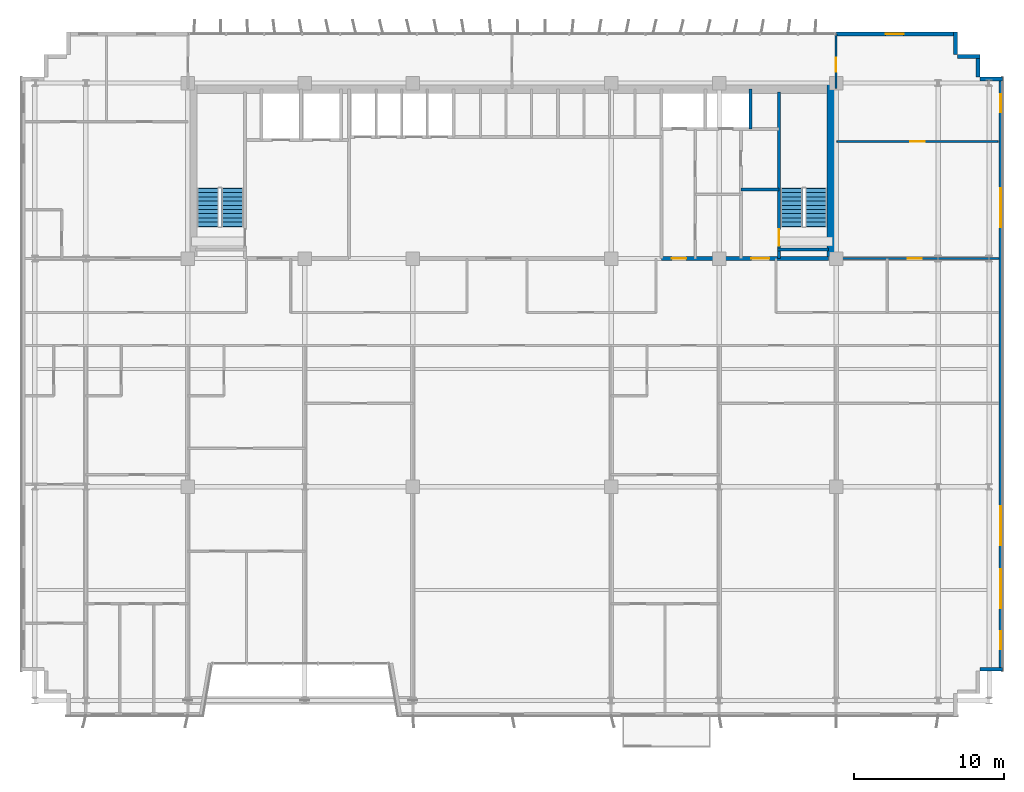
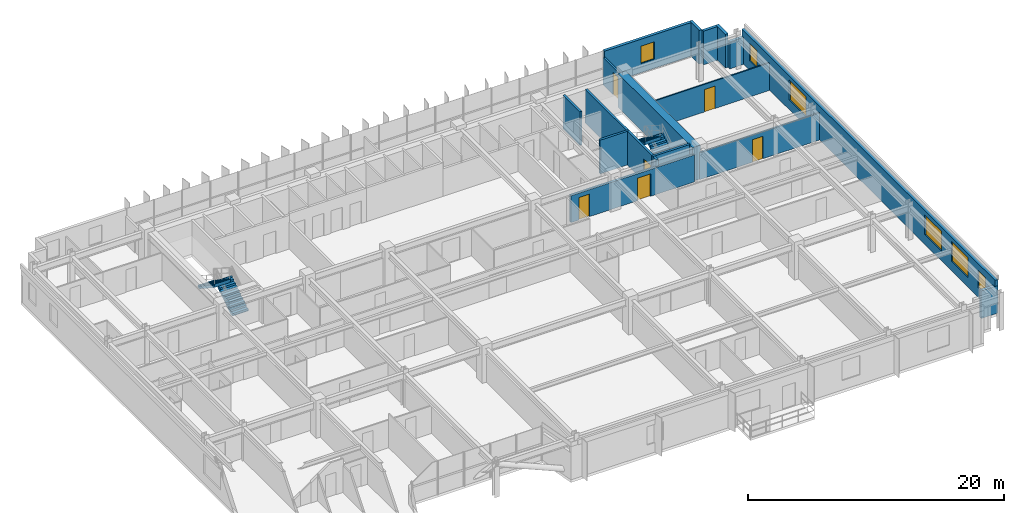
# One storey, part 22 of 25: 16 walls, 6 doors, 6 windows, 4 stair flights, 12 openings, 2 elements without a shape of their own.
"""IFC4 building model written with IfcOpenShell, lengths in metres."""

from ifc_helpers import new_model, si_unit, direction, frame, frame_2d, origin, place, context, subcontext, project, spatial, polyline, rectangle, outline, extrude, source, transform, mapped, material, layer, layer_set, type_object, element, fill, aggregate, save


model = new_model("IFC4")

# Units and contexts
model_context = context("Model", 3, precision=1e-05, world=origin(), true_north=direction((0.0, 1.0)))
body_context = subcontext(model_context, "Body", "Model", "MODEL_VIEW")
ifc_project = project(units=[si_unit("LENGTHUNIT", "METRE"), si_unit("AREAUNIT", "SQUARE_METRE"), si_unit("VOLUMEUNIT", "CUBIC_METRE"), si_unit("PLANEANGLEUNIT", "RADIAN"), si_unit("MASSUNIT", "GRAM", prefix="KILO")], contexts=[model_context])

# Site, building, storey
site_placement = place(None, origin())
site = spatial("IfcSite", under=ifc_project, at=site_placement, CompositionType="ELEMENT")
building_placement = place(site_placement, origin())
building = spatial("IfcBuilding", under=site, at=building_placement, Name="Trelvane Seafront Commons", CompositionType="ELEMENT")
storey_placement = place(building_placement, frame((0.0, 0.0, 70.300048828125)))
storey = spatial("IfcBuildingStorey", under=building, at=storey_placement, Name="L18", CompositionType="ELEMENT", Elevation=70.300048828125)

# Wall, opening, window
ifc_material_1 = material(Name="Precast concrete C40/50", Category="concrete")
ifc_layer_1 = layer(ifc_material_1, 0.260009765625, Name="ARCH-WALL-EXT260")
ifc_layer_set_1 = layer_set([ifc_layer_1], Name="Precast concrete C40/50")
wall_type_1 = type_object("IfcWallType", Name="ARCH-WALL-EXT260", PredefinedType="SOLIDWALL", material=ifc_layer_set_1)
wall_1_placement = place(storey_placement, frame((58.800048828125, 48.3701171875, 0.0), z_axis=(0.0, 0.0, 1.0), x_axis=(1.0, 0.0, 0.0)))
wall_1 = element("IfcWall", 1, at=wall_1_placement, inside=storey, type_object=wall_type_1, Name="EW-L18-NE-0326", PredefinedType="SOLIDWALL", context=body_context, shape_type="SweptSolid", body=[
    extrude(rectangle(XDim=8.0, YDim=0.260009765625, at=frame_2d((4.0, 0.0))), origin(), (0.0, 0.0, 1.0), 3.219970703125),
])
opening_1_placement = place(wall_1_placement, frame((3.30810546875, 0.0, 0.89990234375)))
opening_1 = element("IfcOpeningElement", 2, at=opening_1_placement, cuts=wall_1, Name="Opening W05", PredefinedType="OPENING", context=body_context, shape_type="SweptSolid", body=[
    extrude(rectangle(XDim=1.199951171875, YDim=1.64990234375, at=frame_2d((0.60009765625, 0.824951171875))), frame((0.0, 0.139892578125, 0.0), z_axis=(0.0, -1.0, 0.0), x_axis=(1.0, 0.0, 0.0)), (0.0, 0.0, 1.0), 0.280029296875),
])
ifc_material_2 = material(Name="Low-E coastal double glazing", Category="glass")
window_type_1 = type_object("IfcWindowType", Name="ARCH-WIN-W05", PartitioningType="SINGLE_PANEL", PredefinedType="WINDOW", material=ifc_material_2)
shared_shape_1 = source(origin(), body_context, "Body", "SweptSolid", [
    extrude(rectangle(XDim=1.199951171875, YDim=1.64990234375, at=frame_2d((0.60009765625, 0.824951171875))), frame((0.0, 0.030029296875, 0.0), z_axis=(0.0, -1.0, 0.0), x_axis=(1.0, 0.0, 0.0)), (0.0, 0.0, 1.0), 0.06005859375),
])
window_1_placement = place(opening_1_placement, origin())
window_1 = element("IfcWindow", 3, at=window_1_placement, inside=storey, type_object=window_type_1, Name="WIN-L18-00377", OverallHeight=1.64990234375, OverallWidth=1.199951171875, PartitioningType="SINGLE_PANEL", PredefinedType="WINDOW", context=body_context, shape_type="MappedRepresentation", body=[
    mapped(shared_shape_1, transform((0.0, 0.0, 0.0), x_axis=(1.0, 0.0, 0.0), y_axis=(0.0, 1.0, 0.0), z_axis=(0.0, 0.0, 1.0), scale=1.0)),
])
fill(opening_1, window_1)

# Walls
for number, where, z_axis, x_axis, name in (
    (4, (66.77001953125, 48.5, 0.0), (0.0, 0.0, 1.0), (0.0, -1.0, 0.0), "EW-L18-00335"),
    (5, (66.89990234375, 46.8701171875, 0.0), (0.0, 0.0, 1.0), (1.0, 0.0, 0.0), "EW-L18-00336"),
    (6, (68.27001953125, 47.0, 0.0), (0.0, 0.0, 1.0), (0.0, -1.0, 0.0), "EW-L18-00337"),
):
    element("IfcWall", number, at=place(storey_placement, frame(where, z_axis=z_axis, x_axis=x_axis)), inside=storey, type_object=wall_type_1, Name=name, PredefinedType="SOLIDWALL", context=body_context, shape_type="SweptSolid", body=[
        extrude(rectangle(XDim=1.5, YDim=0.260009765625, at=frame_2d((0.75, 0.0))), origin(), (0.0, 0.0, 1.0), 3.219970703125),
    ])
wall_2_placement = place(storey_placement, frame((68.39990234375, 45.3701171875, 0.0), z_axis=(0.0, 0.0, 1.0), x_axis=(1.0, 0.0, 0.0)))
element("IfcWall", 7, at=wall_2_placement, inside=storey, type_object=wall_type_1, Name="EW-L18-00338", PredefinedType="SOLIDWALL", context=body_context, shape_type="SweptSolid", body=[
    extrude(rectangle(XDim=1.5, YDim=0.260009765625, at=frame_2d((0.75, 0.0))), origin(), (0.0, 0.0, 1.0), 2.570068359375),
])

# Wall, openings, windows
wall_3_placement = place(storey_placement, frame((69.77001953125, 45.5, 0.0), z_axis=(0.0, 0.0, 1.0), x_axis=(0.0, -1.0, 0.0)))
wall_3 = element("IfcWall", 8, at=wall_3_placement, inside=storey, type_object=wall_type_1, Name="EW-L18-00339", PredefinedType="SOLIDWALL", context=body_context, shape_type="SweptSolid", body=[
    extrude(rectangle(XDim=39.60009765625, YDim=0.260009765625, at=frame_2d((19.800048828125, 0.0))), origin(), (0.0, 0.0, 1.0), 3.219970703125),
])
opening_2_placement = place(wall_3_placement, frame((36.949951171875, 0.0, 0.919921875)))
opening_2 = element("IfcOpeningElement", 9, at=opening_2_placement, cuts=wall_3, Name="Opening W05", PredefinedType="OPENING", context=body_context, shape_type="SweptSolid", body=[
    extrude(rectangle(XDim=1.199951171875, YDim=1.64990234375, at=frame_2d((0.60009765625, 0.824951171875))), frame((0.0, 0.139892578125, 0.0), z_axis=(0.0, -1.0, 0.0), x_axis=(1.0, 0.0, 0.0)), (0.0, 0.0, 1.0), 0.280029296875),
])
opening_3_placement = place(wall_3_placement, frame((32.800048828125, 0.0, 0.919921875)))
opening_3 = element("IfcOpeningElement", 10, at=opening_3_placement, cuts=wall_3, Name="Opening W04", PredefinedType="OPENING", context=body_context, shape_type="SweptSolid", body=[
    extrude(rectangle(XDim=2.60009765625, YDim=1.89990234375, at=frame_2d((1.300048828125, 0.949951171875))), frame((0.0, 0.139892578125, 0.0), z_axis=(0.0, -1.0, 0.0), x_axis=(1.0, 0.0, 0.0)), (0.0, 0.0, 1.0), 0.280029296875),
])
opening_4_placement = place(wall_3_placement, frame((28.60009765625, 0.0, 0.919921875)))
opening_4 = element("IfcOpeningElement", 11, at=opening_4_placement, cuts=wall_3, Name="Opening W04", PredefinedType="OPENING", context=body_context, shape_type="SweptSolid", body=[
    extrude(rectangle(XDim=2.60009765625, YDim=1.89990234375, at=frame_2d((1.300048828125, 0.949951171875))), frame((0.0, 0.139892578125, 0.0), z_axis=(0.0, -1.0, 0.0), x_axis=(1.0, 0.0, 0.0)), (0.0, 0.0, 1.0), 0.280029296875),
])
opening_5_placement = place(wall_3_placement, frame((7.39990234375, 0.0, 0.919921875)))
opening_5 = element("IfcOpeningElement", 12, at=opening_5_placement, cuts=wall_3, Name="Opening W04", PredefinedType="OPENING", context=body_context, shape_type="SweptSolid", body=[
    extrude(rectangle(XDim=2.60009765625, YDim=1.89990234375, at=frame_2d((1.300048828125, 0.949951171875))), frame((0.0, 0.139892578125, 0.0), z_axis=(0.0, -1.0, 0.0), x_axis=(1.0, 0.0, 0.0)), (0.0, 0.0, 1.0), 0.280029296875),
])
opening_6_placement = place(wall_3_placement, frame((1.14990234375, 0.0, 0.919921875)))
opening_6 = element("IfcOpeningElement", 13, at=opening_6_placement, cuts=wall_3, Name="Opening W05", PredefinedType="OPENING", context=body_context, shape_type="SweptSolid", body=[
    extrude(rectangle(XDim=1.199951171875, YDim=1.64990234375, at=frame_2d((0.60009765625, 0.824951171875))), frame((0.0, 0.139892578125, 0.0), z_axis=(0.0, -1.0, 0.0), x_axis=(1.0, 0.0, 0.0)), (0.0, 0.0, 1.0), 0.280029296875),
])
window_type_2 = type_object("IfcWindowType", Name="ARCH-WIN-W04", PartitioningType="SINGLE_PANEL", PredefinedType="WINDOW", material=ifc_material_2)
shared_shape_2 = source(origin(), body_context, "Body", "SweptSolid", [
    extrude(rectangle(XDim=2.60009765625, YDim=1.89990234375, at=frame_2d((1.300048828125, 0.949951171875))), frame((0.0, 0.030029296875, 0.0), z_axis=(0.0, -1.0, 0.0), x_axis=(1.0, 0.0, 0.0)), (0.0, 0.0, 1.0), 0.06005859375),
])
window_2_placement = place(opening_3_placement, origin())
window_2 = element("IfcWindow", 14, at=window_2_placement, inside=storey, type_object=window_type_2, Name="WIN-L18-EW-00384", OverallHeight=1.89990234375, OverallWidth=2.60009765625, PartitioningType="SINGLE_PANEL", PredefinedType="WINDOW", context=body_context, shape_type="MappedRepresentation", body=[
    mapped(shared_shape_2, transform((0.0, 0.0, 0.0), x_axis=(1.0, 0.0, 0.0), y_axis=(0.0, 1.0, 0.0), z_axis=(0.0, 0.0, 1.0), scale=1.0)),
])
fill(opening_3, window_2)
window_3_placement = place(opening_4_placement, origin())
window_3 = element("IfcWindow", 15, at=window_3_placement, inside=storey, type_object=window_type_2, Name="WIN-L18-EW-00385", OverallHeight=1.89990234375, OverallWidth=2.60009765625, PartitioningType="SINGLE_PANEL", PredefinedType="WINDOW", context=body_context, shape_type="MappedRepresentation", body=[
    mapped(shared_shape_2, transform((0.0, 0.0, 0.0), x_axis=(1.0, 0.0, 0.0), y_axis=(0.0, 1.0, 0.0), z_axis=(0.0, 0.0, 1.0), scale=1.0)),
])
fill(opening_4, window_3)
window_4_placement = place(opening_5_placement, origin())
window_4 = element("IfcWindow", 16, at=window_4_placement, inside=storey, type_object=window_type_2, Name="WIN-L18-EW-00386", OverallHeight=1.89990234375, OverallWidth=2.60009765625, PartitioningType="SINGLE_PANEL", PredefinedType="WINDOW", context=body_context, shape_type="MappedRepresentation", body=[
    mapped(shared_shape_2, transform((0.0, 0.0, 0.0), x_axis=(1.0, 0.0, 0.0), y_axis=(0.0, 1.0, 0.0), z_axis=(0.0, 0.0, 1.0), scale=1.0)),
])
fill(opening_5, window_4)
window_5_placement = place(opening_2_placement, origin())
window_5 = element("IfcWindow", 17, at=window_5_placement, inside=storey, type_object=window_type_1, Name="WIN-L18-EW-00383", OverallHeight=1.64990234375, OverallWidth=1.199951171875, PartitioningType="SINGLE_PANEL", PredefinedType="WINDOW", context=body_context, shape_type="MappedRepresentation", body=[
    mapped(shared_shape_1, transform((0.0, 0.0, 0.0), x_axis=(1.0, 0.0, 0.0), y_axis=(0.0, 1.0, 0.0), z_axis=(0.0, 0.0, 1.0), scale=1.0)),
])
fill(opening_2, window_5)
window_6_placement = place(opening_6_placement, origin())
window_6 = element("IfcWindow", 18, at=window_6_placement, inside=storey, type_object=window_type_1, Name="WIN-L18-EW-00387", OverallHeight=1.64990234375, OverallWidth=1.199951171875, PartitioningType="SINGLE_PANEL", PredefinedType="WINDOW", context=body_context, shape_type="MappedRepresentation", body=[
    mapped(shared_shape_1, transform((0.0, 0.0, 0.0), x_axis=(1.0, 0.0, 0.0), y_axis=(0.0, 1.0, 0.0), z_axis=(0.0, 0.0, 1.0), scale=1.0)),
])
fill(opening_6, window_6)

# Walls
wall_4_placement = place(storey_placement, frame((69.89990234375, 6.030029296875, 0.0), z_axis=(0.0, 0.0, 1.0), x_axis=(-1.0, 0.0, 0.0)))
element("IfcWall", 19, at=wall_4_placement, inside=storey, type_object=wall_type_1, Name="EW-L18-00340", PredefinedType="SOLIDWALL", context=body_context, shape_type="SweptSolid", body=[
    extrude(rectangle(XDim=1.5, YDim=0.260009765625, at=frame_2d((0.75, 0.0))), origin(), (0.0, 0.0, 1.0), 2.6318359375),
])
ifc_material_3 = material(Name="Concrete C40/50", Category="concrete")
ifc_layer_2 = layer(ifc_material_3, 0.199951171875, Name="ARCH-WALL-FIRE200")
ifc_layer_set_2 = layer_set([ifc_layer_2], Name="Concrete C40/50")
wall_type_2 = type_object("IfcWallType", Name="ARCH-WALL-FIRE200", PredefinedType="PARTITIONING", material=ifc_layer_set_2)
wall_5_placement = place(storey_placement, frame((52.449951171875, 38.0, 0.0), z_axis=(0.0, 0.0, 1.0), x_axis=(1.0, 0.0, 0.0)))
element("IfcWall", 20, at=wall_5_placement, inside=storey, type_object=wall_type_2, Name="W-L18-ST2V-N-034", PredefinedType="PARTITIONING", context=body_context, shape_type="SweptSolid", body=[
    extrude(rectangle(XDim=2.550048828125, YDim=0.199951171875, at=frame_2d((1.27490234375, 0.0))), origin(), (0.0, 0.0, 1.0), 3.219970703125),
])

# Wall, openings, doors
ifc_layer_3 = layer(ifc_material_3, 0.25, Name="ARCH-WALL-FIRE250")
ifc_layer_set_3 = layer_set([ifc_layer_3], Name="Concrete C40/50")
wall_type_3 = type_object("IfcWallType", Name="ARCH-WALL-FIRE250", PredefinedType="PARTITIONING", material=ifc_layer_set_3)
wall_6_placement = place(storey_placement, frame((47.14990234375, 33.39990234375, 0.0), z_axis=(0.0, 0.0, 1.0), x_axis=(1.0, 0.0, 0.0)))
wall_6 = element("IfcWall", 21, at=wall_6_placement, inside=storey, type_object=wall_type_3, Name="W-L18-CS-EAST-037", PredefinedType="PARTITIONING", context=body_context, shape_type="SweptSolid", body=[
    extrude(rectangle(XDim=11.150146484375, YDim=0.25, at=frame_2d((5.5751953125, 0.0))), origin(), (0.0, 0.0, 1.0), 2.570068359375),
])
opening_7_placement = place(wall_6_placement, frame((0.699951171875, 0.0, 0.0)))
opening_7 = element("IfcOpeningElement", 22, at=opening_7_placement, cuts=wall_6, Name="Opening FD-L18-16", PredefinedType="OPENING", context=body_context, shape_type="SweptSolid", body=[
    extrude(rectangle(XDim=0.949951171875, YDim=2.14990234375, at=frame_2d((0.47509765625, 1.074951171875))), frame((0.0, 0.135009765625, 0.0), z_axis=(0.0, -1.0, 0.0), x_axis=(1.0, 0.0, 0.0)), (0.0, 0.0, 1.0), 0.27001953125),
])
opening_8_placement = place(wall_6_placement, frame((6.0, 0.0, 0.0)))
opening_8 = element("IfcOpeningElement", 23, at=opening_8_placement, cuts=wall_6, Name="Opening FD-L18-17", PredefinedType="OPENING", context=body_context, shape_type="SweptSolid", body=[
    extrude(rectangle(XDim=1.199951171875, YDim=2.14990234375, at=frame_2d((0.60009765625, 1.074951171875))), frame((0.0, 0.135009765625, 0.0), z_axis=(0.0, -1.0, 0.0), x_axis=(1.0, 0.0, 0.0)), (0.0, 0.0, 1.0), 0.27001953125),
])
ifc_material_4 = material(Name="Powder-coated aluminium frame", Category="aluminium")
door_type_1 = type_object("IfcDoorType", Name="ARCH-DR-FD60-950", OperationType="NOTDEFINED", PredefinedType="DOOR", material=ifc_material_4)
shared_shape_3 = source(origin(), body_context, "Body", "SweptSolid", [
    extrude(rectangle(XDim=0.949951171875, YDim=2.14990234375, at=frame_2d((0.47509765625, 1.074951171875))), frame((0.0, 0.02490234375, 0.0), z_axis=(0.0, -1.0, 0.0), x_axis=(1.0, 0.0, 0.0)), (0.0, 0.0, 1.0), 0.050048828125),
])
door_1_placement = place(opening_7_placement, origin())
door_1 = element("IfcDoor", 24, at=door_1_placement, inside=storey, type_object=door_type_1, Name="L18 Core Service Lobby Door", OperationType="SINGLE_SWING_RIGHT", OverallHeight=2.14990234375, OverallWidth=0.949951171875, PredefinedType="DOOR", context=body_context, shape_type="MappedRepresentation", body=[
    mapped(shared_shape_3, transform((0.0, 0.0, 0.0), x_axis=(1.0, 0.0, 0.0), y_axis=(0.0, 1.0, 0.0), z_axis=(0.0, 0.0, 1.0), scale=1.0)),
])
fill(opening_7, door_1)
door_type_2 = type_object("IfcDoorType", Name="ARCH-DR-FD60-1200", OperationType="NOTDEFINED", PredefinedType="DOOR", material=ifc_material_4)
shared_shape_4 = source(origin(), body_context, "Body", "SweptSolid", [
    extrude(rectangle(XDim=1.199951171875, YDim=2.14990234375, at=frame_2d((0.60009765625, 1.074951171875))), frame((0.0, 0.02490234375, 0.0), z_axis=(0.0, -1.0, 0.0), x_axis=(1.0, 0.0, 0.0)), (0.0, 0.0, 1.0), 0.050048828125),
])
door_2_placement = place(opening_8_placement, origin())
door_2 = element("IfcDoor", 25, at=door_2_placement, inside=storey, type_object=door_type_2, Name="L18 East Stair Vestibule Fire Door", OperationType="SINGLE_SWING_LEFT", OverallHeight=2.14990234375, OverallWidth=1.199951171875, PredefinedType="DOOR", context=body_context, shape_type="MappedRepresentation", body=[
    mapped(shared_shape_4, transform((0.0, 0.0, 0.0), x_axis=(1.0, 0.0, 0.0), y_axis=(0.0, 1.0, 0.0), z_axis=(0.0, 0.0, 1.0), scale=1.0)),
])
fill(opening_8, door_2)

# Wall, opening, door
ifc_material_5 = material(Name="Gypsum Drywall Acoustic Partition")
ifc_layer_4 = layer(ifc_material_5, 0.1201171875, Name="ARCH-WALL-PART120")
ifc_layer_set_4 = layer_set([ifc_layer_4], Name="Gypsum Drywall Acoustic Partition")
wall_type_4 = type_object("IfcWallType", Name="ARCH-WALL-PART120", PredefinedType="PARTITIONING", material=ifc_layer_set_4)
wall_7_placement = place(storey_placement, frame((58.85009765625, 41.199951171875, 0.0), z_axis=(0.0, 0.0, 1.0), x_axis=(1.0, 0.0, 0.0)))
wall_7 = element("IfcWall", 26, at=wall_7_placement, inside=storey, type_object=wall_type_4, Name="W-L18-NE-LGDV-055", PredefinedType="PARTITIONING", context=body_context, shape_type="SweptSolid", body=[
    extrude(rectangle(XDim=10.75, YDim=0.1201171875, at=frame_2d((5.375, 0.0))), origin(), (0.0, 0.0, 1.0), 2.6318359375),
])
opening_9_placement = place(wall_7_placement, frame((4.89990234375, 0.0, 0.0)))
opening_9 = element("IfcOpeningElement", 27, at=opening_9_placement, cuts=wall_7, Name="Opening D-L18-27", PredefinedType="OPENING", context=body_context, shape_type="SweptSolid", body=[
    extrude(rectangle(XDim=0.949951171875, YDim=2.14990234375, at=frame_2d((0.47509765625, 1.074951171875))), frame((0.0, 0.070068359375, 0.0), z_axis=(0.0, -1.0, 0.0), x_axis=(1.0, 0.0, 0.0)), (0.0, 0.0, 1.0), 0.14013671875),
])
ifc_material_6 = material(Name="Acoustic timber door leaf", Category="wood")
door_type_3 = type_object("IfcDoorType", Name="ARCH-DR-INT950", OperationType="NOTDEFINED", PredefinedType="DOOR", material=ifc_material_6)
door_3_placement = place(opening_9_placement, origin())
door_3 = element("IfcDoor", 28, at=door_3_placement, inside=storey, type_object=door_type_3, Name="L18 Door 27", OperationType="SINGLE_SWING_LEFT", OverallHeight=2.14990234375, OverallWidth=0.949951171875, PredefinedType="DOOR", context=body_context, shape_type="MappedRepresentation", body=[
    mapped(shared_shape_3, transform((0.0, 0.0, 0.0), x_axis=(1.0, 0.0, 0.0), y_axis=(0.0, 1.0, 0.0), z_axis=(0.0, 0.0, 1.0), scale=1.0)),
])
fill(opening_9, door_3)

ifc_layer_5 = layer(ifc_material_5, 0.14990234375, Name="ARCH-WALL-PART150")
ifc_layer_set_5 = layer_set([ifc_layer_5], Name="Gypsum Drywall Acoustic Partition")
wall_type_5 = type_object("IfcWallType", Name="ARCH-WALL-PART150", PredefinedType="PARTITIONING", material=ifc_layer_set_5)
wall_8_placement = place(storey_placement, frame((58.800048828125, 33.39990234375, 0.0), z_axis=(0.0, 0.0, 1.0), x_axis=(1.0, 0.0, 0.0)))
wall_8 = element("IfcWall", 29, at=wall_8_placement, inside=storey, type_object=wall_type_5, Name="W-L18-NE-ENT-056", PredefinedType="PARTITIONING", context=body_context, shape_type="SweptSolid", body=[
    extrude(rectangle(XDim=10.849853515625, YDim=0.14990234375, at=frame_2d((5.4248046875, 0.0))), origin(), (0.0, 0.0, 1.0), 2.570068359375),
])
opening_10_placement = place(wall_8_placement, frame((4.760009765625, 0.0, 0.0)))
opening_10 = element("IfcOpeningElement", 30, at=opening_10_placement, cuts=wall_8, Name="Opening FD-L18-28", PredefinedType="OPENING", context=body_context, shape_type="SweptSolid", body=[
    extrude(rectangle(XDim=0.949951171875, YDim=2.14990234375, at=frame_2d((0.47509765625, 1.074951171875))), frame((0.0, 0.0849609375, 0.0), z_axis=(0.0, -1.0, 0.0), x_axis=(1.0, 0.0, 0.0)), (0.0, 0.0, 1.0), 0.169921875),
])
door_4_placement = place(opening_10_placement, origin())
door_4 = element("IfcDoor", 31, at=door_4_placement, inside=storey, type_object=door_type_1, Name="L18 NE Suite Entrance Door", OperationType="SINGLE_SWING_RIGHT", OverallHeight=2.14990234375, OverallWidth=0.949951171875, PredefinedType="DOOR", context=body_context, shape_type="MappedRepresentation", body=[
    mapped(shared_shape_3, transform((0.0, 0.0, 0.0), x_axis=(1.0, 0.0, 0.0), y_axis=(0.0, 1.0, 0.0), z_axis=(0.0, 0.0, 1.0), scale=1.0)),
])
fill(opening_10, door_4)

wall_9_placement = place(storey_placement, frame((58.800048828125, 44.75, 0.0), z_axis=(0.0, 0.0, 1.0), x_axis=(0.0, 1.0, 0.0)))
wall_9 = element("IfcWall", 32, at=wall_9_placement, inside=storey, type_object=wall_type_5, Name="W-L18-N-LINK-E-059", PredefinedType="PARTITIONING", context=body_context, shape_type="SweptSolid", body=[
    extrude(rectangle(XDim=3.610107421875, YDim=0.14990234375, at=frame_2d((1.80517578125, 0.0))), origin(), (0.0, 0.0, 1.0), 2.6318359375),
])
opening_11_placement = place(wall_9_placement, frame((1.10009765625, 0.0, 0.0)))
opening_11 = element("IfcOpeningElement", 33, at=opening_11_placement, cuts=wall_9, Name="Opening FD-L18-31", PredefinedType="OPENING", context=body_context, shape_type="SweptSolid", body=[
    extrude(rectangle(XDim=0.949951171875, YDim=2.14990234375, at=frame_2d((0.47509765625, 1.074951171875))), frame((0.0, 0.0849609375, 0.0), z_axis=(0.0, -1.0, 0.0), x_axis=(1.0, 0.0, 0.0)), (0.0, 0.0, 1.0), 0.169921875),
])
door_5_placement = place(opening_11_placement, origin())
door_5 = element("IfcDoor", 34, at=door_5_placement, inside=storey, type_object=door_type_1, Name="L18 Door 31", OperationType="SINGLE_SWING_LEFT", OverallHeight=2.14990234375, OverallWidth=0.949951171875, PredefinedType="DOOR", context=body_context, shape_type="MappedRepresentation", body=[
    mapped(shared_shape_3, transform((0.0, 0.0, 0.0), x_axis=(1.0, 0.0, 0.0), y_axis=(0.0, 1.0, 0.0), z_axis=(0.0, 0.0, 1.0), scale=1.0)),
])
fill(opening_11, door_5)

# Walls
ifc_layer_6 = layer(ifc_material_3, 0.199951171875, Name="ARCH-WALL-SHAFT200")
ifc_layer_set_6 = layer_set([ifc_layer_6], Name="Concrete C40/50")
wall_type_6 = type_object("IfcWallType", Name="ARCH-WALL-SHAFT200", PredefinedType="SOLIDWALL", material=ifc_layer_set_6)
wall_10_placement = place(storey_placement, frame((53.10009765625, 42.050048828125, 0.0), z_axis=(0.0, 0.0, 1.0), x_axis=(0.0, 1.0, 0.0)))
element("IfcWall", 35, at=wall_10_placement, inside=storey, type_object=wall_type_6, Name="W-L18-RSR-E-032", PredefinedType="SOLIDWALL", context=body_context, shape_type="SweptSolid", body=[
    extrude(rectangle(XDim=2.64990234375, YDim=0.199951171875, at=frame_2d((1.324951171875, 0.0))), origin(), (0.0, 0.0, 1.0), 3.219970703125),
])
ifc_material_7 = material(Name="Concrete C60/75", Category="concrete")
ifc_layer_7 = layer(ifc_material_7, 0.699951171875, Name="STR-WALL-CORE700")
ifc_layer_set_7 = layer_set([ifc_layer_7], Name="Concrete C60/75")
wall_type_7 = type_object("IfcWallType", Name="STR-WALL-CORE700", PredefinedType="SHEAR", material=ifc_layer_set_7)
wall_11_placement = place(storey_placement, frame((58.550048828125, 33.39990234375, 0.0), z_axis=(0.0, 0.0, 1.0), x_axis=(0.0, 1.0, 0.0)))
element("IfcWall", 36, at=wall_11_placement, inside=storey, type_object=wall_type_7, Name="W-L18-CE-END-003", PredefinedType="SHEAR", context=body_context, shape_type="SweptSolid", body=[
    extrude(rectangle(XDim=11.7001953125, YDim=0.699951171875, at=frame_2d((5.85009765625, 0.0))), origin(), (0.0, 0.0, 1.0), 3.219970703125),
])
ifc_material_8 = material(Name="Concrete C50/60", Category="concrete")
ifc_layer_8 = layer(ifc_material_8, 0.199951171875, Name="STR-WALL-STAIR200")
ifc_layer_set_8 = layer_set([ifc_layer_8], Name="Concrete C50/60")
wall_type_8 = type_object("IfcWallType", Name="STR-WALL-STAIR200", PredefinedType="SHEAR", material=ifc_layer_set_8)
wall_12_placement = place(storey_placement, frame((54.89990234375, 34.0, 0.0), z_axis=(0.0, 0.0, 1.0), x_axis=(1.0, 0.0, 0.0)))
element("IfcWall", 37, at=wall_12_placement, inside=storey, type_object=wall_type_8, Name="W-L18-ST2-S-006", PredefinedType="SHEAR", context=body_context, shape_type="SweptSolid", body=[
    extrude(rectangle(XDim=3.400146484375, YDim=0.199951171875, at=frame_2d((1.7001953125, 0.0))), origin(), (0.0, 0.0, 1.0), 3.219970703125),
])

# Wall, opening, door
wall_13_placement = place(storey_placement, frame((55.0, 33.39990234375, 0.0), z_axis=(0.0, 0.0, 1.0), x_axis=(0.0, 1.0, 0.0)))
wall_13 = element("IfcWall", 38, at=wall_13_placement, inside=storey, type_object=wall_type_8, Name="W-L18-ST2-W-007", PredefinedType="SHEAR", context=body_context, shape_type="SweptSolid", body=[
    extrude(rectangle(XDim=11.10009765625, YDim=0.199951171875, at=frame_2d((5.550048828125, 0.0))), origin(), (0.0, 0.0, 1.0), 3.219970703125),
])
opening_12_placement = place(wall_13_placement, frame((0.85009765625, 0.0, 0.0)))
opening_12 = element("IfcOpeningElement", 39, at=opening_12_placement, cuts=wall_13, Name="Opening ST-D2-L18", PredefinedType="OPENING", context=body_context, shape_type="SweptSolid", body=[
    extrude(rectangle(XDim=1.10009765625, YDim=2.14990234375, at=frame_2d((0.550048828125, 1.074951171875))), frame((0.0, 0.10986328125, 0.0), z_axis=(0.0, -1.0, 0.0), x_axis=(1.0, 0.0, 0.0)), (0.0, 0.0, 1.0), 0.219970703125),
])
door_type_4 = type_object("IfcDoorType", Name="ARCH-DR-FD90-1100", OperationType="NOTDEFINED", PredefinedType="DOOR", material=ifc_material_4)
shared_shape_5 = source(origin(), body_context, "Body", "SweptSolid", [
    extrude(rectangle(XDim=1.10009765625, YDim=2.14990234375, at=frame_2d((0.550048828125, 1.074951171875))), frame((0.0, 0.02490234375, 0.0), z_axis=(0.0, -1.0, 0.0), x_axis=(1.0, 0.0, 0.0)), (0.0, 0.0, 1.0), 0.050048828125),
])
door_6_placement = place(opening_12_placement, origin())
door_6 = element("IfcDoor", 40, at=door_6_placement, inside=storey, type_object=door_type_4, Name="L18 Stair ST-2 Vestibule Fire Door", OperationType="SINGLE_SWING_RIGHT", OverallHeight=2.14990234375, OverallWidth=1.10009765625, PredefinedType="DOOR", context=body_context, shape_type="MappedRepresentation", body=[
    mapped(shared_shape_5, transform((0.0, 0.0, 0.0), x_axis=(1.0, 0.0, 0.0), y_axis=(0.0, 1.0, 0.0), z_axis=(0.0, 0.0, 1.0), scale=1.0)),
])
fill(opening_12, door_6)

# Stair, stair flights
stair_type_1 = type_object("IfcStairType", Name="ARCH-STR-ST-1-R20-180", PredefinedType="HALF_TURN_STAIR", material=ifc_material_3)
stair_1_placement = place(storey_placement, origin())
stair_1 = element("IfcStair", 41, at=stair_1_placement, inside=storey, type_object=stair_type_1, Name="L18 West Protected Firefighting Exit Stair ST-1", PredefinedType="HALF_TURN_STAIR")
stair_flight_type_1 = type_object("IfcStairFlightType", Name="ARCH-FLG-ST-1-R20-180", PredefinedType="STRAIGHT", material=ifc_material_3)
shared_shape_6 = source(origin(), body_context, "Body", "SweptSolid", [
    extrude(outline(polyline([(-0.050048828125, -0.02001953125), (-0.050048828125, 0.0), (0.0, 0.0), (0.0, 0.179931640625), (0.280029296875, 0.179931640625), (0.280029296875, 0.360107421875), (0.56005859375, 0.360107421875), (0.56005859375, 0.5400390625), (0.840087890625, 0.5400390625), (0.840087890625, 0.719970703125), (1.1201171875, 0.719970703125), (1.1201171875, 0.89990234375), (1.39990234375, 0.89990234375), (1.39990234375, 1.080078125), (1.679931640625, 1.080078125), (1.679931640625, 1.260009765625), (1.9599609375, 1.260009765625), (1.9599609375, 1.43994140625), (2.239990234375, 1.43994140625), (2.239990234375, 1.6201171875), (2.52001953125, 1.6201171875), (2.52001953125, 1.800048828125), (2.570068359375, 1.800048828125), (2.570068359375, 1.650146484375), (2.52001953125, 1.44189453125), (0.277099609375, -0.02001953125), (-0.050048828125, -0.02001953125)])), frame((0.0, 0.72509765625, 0.0), z_axis=(0.0, -1.0, 0.0), x_axis=(1.0, 0.0, 0.0)), (0.0, 0.0, 1.0), 1.449951171875),
])
stair_flight_1_placement = place(storey_placement, frame((18.574951171875, 35.550048828125, 0.0), z_axis=(0.0, 0.0, 1.0), x_axis=(0.0, 1.0, 0.0)))
stair_flight_1 = element("IfcStairFlight", 42, at=stair_flight_1_placement, type_object=stair_flight_type_1, Name="ST-1 flight 1", NumberOfRisers=10, NumberOfTreads=9, PredefinedType="STRAIGHT", RiserHeight=0.18, TreadLength=0.28, context=body_context, shape_type="MappedRepresentation", body=[
    mapped(shared_shape_6, transform((0.0, 0.0, 0.0), x_axis=(1.0, 0.0, 0.0), y_axis=(0.0, 1.0, 0.0), z_axis=(0.0, 0.0, 1.0), scale=1.0)),
])
stair_flight_2_placement = place(storey_placement, frame((16.925048828125, 38.070068359375, 1.800048828125), z_axis=(0.0, 0.0, 1.0), x_axis=(0.0, -1.0, 0.0)))
stair_flight_2 = element("IfcStairFlight", 43, at=stair_flight_2_placement, type_object=stair_flight_type_1, Name="ST-1 flight 2", NumberOfRisers=10, NumberOfTreads=9, PredefinedType="STRAIGHT", RiserHeight=0.18, TreadLength=0.28, context=body_context, shape_type="MappedRepresentation", body=[
    mapped(shared_shape_6, transform((0.0, 0.0, 0.0), x_axis=(1.0, 0.0, 0.0), y_axis=(0.0, 1.0, 0.0), z_axis=(0.0, 0.0, 1.0), scale=1.0)),
])
aggregate(stair_1, [stair_flight_1, stair_flight_2])

stair_type_2 = type_object("IfcStairType", Name="ARCH-STR-ST-2-R20-180", PredefinedType="HALF_TURN_STAIR", material=ifc_material_3)
stair_2_placement = place(storey_placement, origin())
stair_2 = element("IfcStair", 44, at=stair_2_placement, inside=storey, type_object=stair_type_2, Name="L18 East Protected Firefighting Exit Stair ST-2", PredefinedType="HALF_TURN_STAIR")
stair_flight_type_2 = type_object("IfcStairFlightType", Name="ARCH-FLG-ST-2-R20-180", PredefinedType="STRAIGHT", material=ifc_material_3)
stair_flight_3_placement = place(storey_placement, frame((57.47509765625, 35.550048828125, 0.0), z_axis=(0.0, 0.0, 1.0), x_axis=(0.0, 1.0, 0.0)))
stair_flight_3 = element("IfcStairFlight", 45, at=stair_flight_3_placement, type_object=stair_flight_type_2, Name="ST-2 flight 1", NumberOfRisers=10, NumberOfTreads=9, PredefinedType="STRAIGHT", RiserHeight=0.18, TreadLength=0.28, context=body_context, shape_type="MappedRepresentation", body=[
    mapped(shared_shape_6, transform((0.0, 0.0, 0.0), x_axis=(1.0, 0.0, 0.0), y_axis=(0.0, 1.0, 0.0), z_axis=(0.0, 0.0, 1.0), scale=1.0)),
])
stair_flight_4_placement = place(storey_placement, frame((55.824951171875, 38.070068359375, 1.800048828125), z_axis=(0.0, 0.0, 1.0), x_axis=(0.0, -1.0, 0.0)))
stair_flight_4 = element("IfcStairFlight", 46, at=stair_flight_4_placement, type_object=stair_flight_type_2, Name="ST-2 flight 2", NumberOfRisers=10, NumberOfTreads=9, PredefinedType="STRAIGHT", RiserHeight=0.18, TreadLength=0.28, context=body_context, shape_type="MappedRepresentation", body=[
    mapped(shared_shape_6, transform((0.0, 0.0, 0.0), x_axis=(1.0, 0.0, 0.0), y_axis=(0.0, 1.0, 0.0), z_axis=(0.0, 0.0, 1.0), scale=1.0)),
])
aggregate(stair_2, [stair_flight_3, stair_flight_4])

save(model, "model.ifc")
